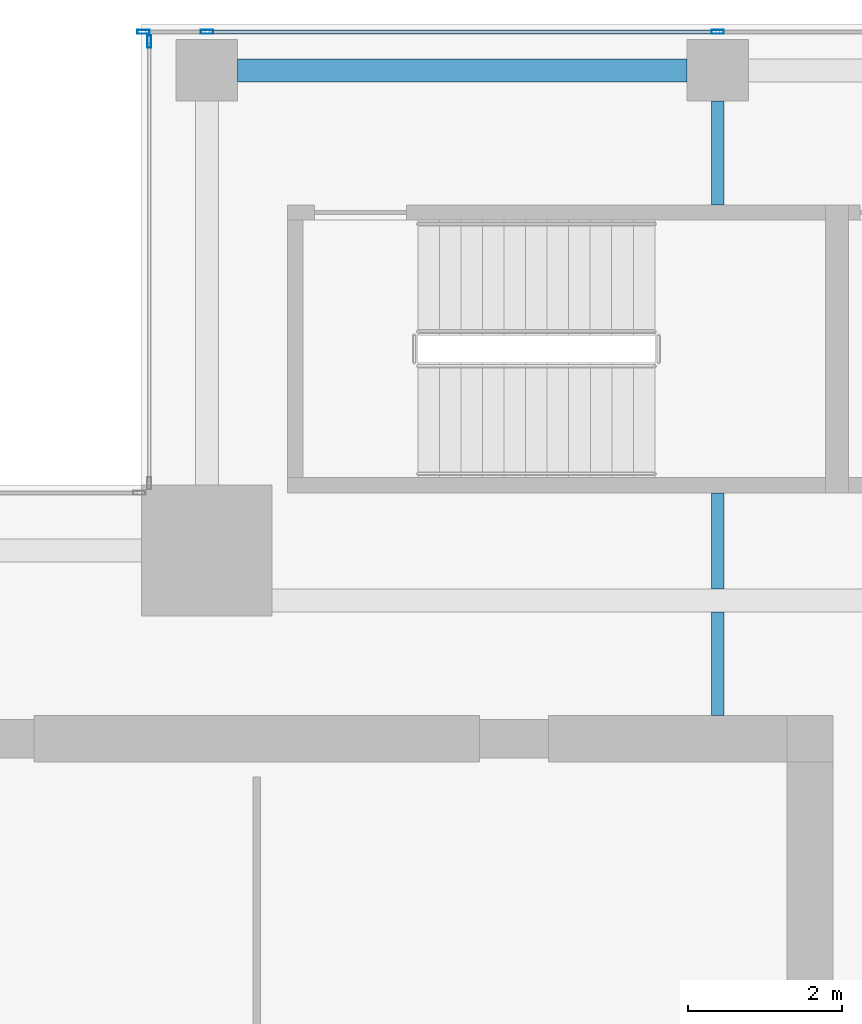
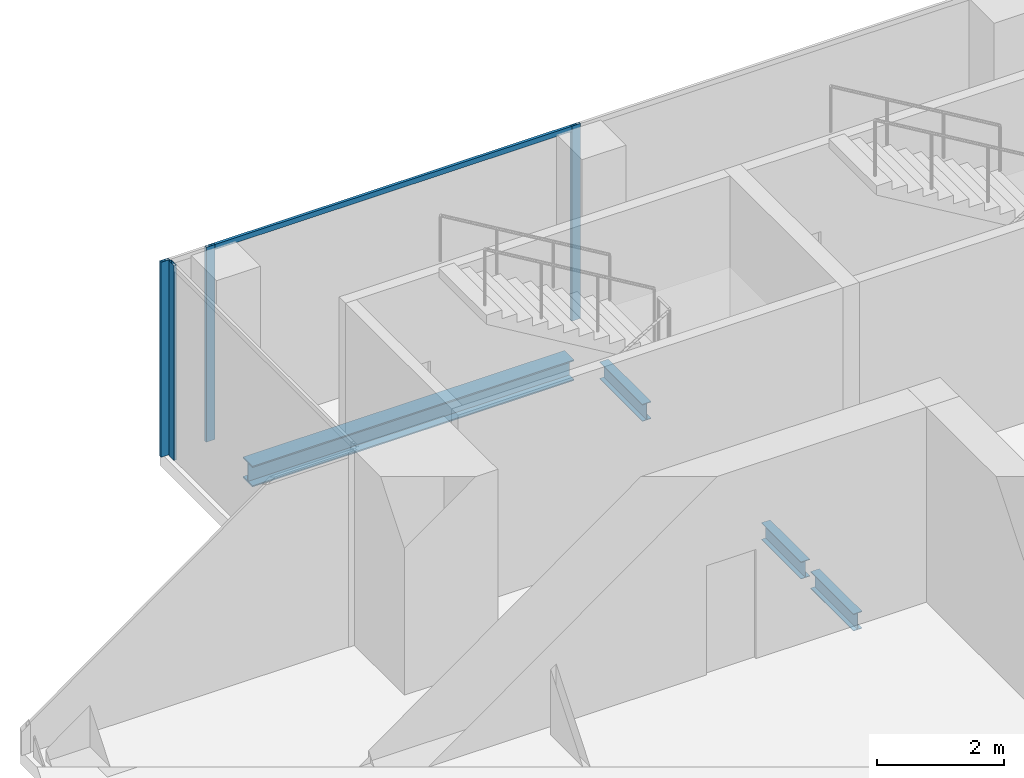
# One storey, part 15 of 29: 5 members, 4 beams, 2 elements without a shape of their own.
"""IFC4 building model written with IfcOpenShell, lengths in metres."""

from ifc_helpers import new_model, si_unit, direction, frame, origin, origin_2d, place, context, subcontext, project, spatial, hollow_rectangle, i_section, extrude, source, transform, mapped, material, material_profile, profile_set, type_object, element, aggregate, save


model = new_model("IFC4")

# Units and contexts
model_context = context("Model", 3, precision=1e-05, world=origin(), true_north=direction((0.0, 1.0)))
body_context = subcontext(model_context, "Body", "Model", "MODEL_VIEW")
ifc_project = project(units=[si_unit("LENGTHUNIT", "METRE"), si_unit("AREAUNIT", "SQUARE_METRE"), si_unit("VOLUMEUNIT", "CUBIC_METRE"), si_unit("PLANEANGLEUNIT", "RADIAN"), si_unit("MASSUNIT", "GRAM", prefix="KILO")], contexts=[model_context])

# Site, building, storey
site_placement = place(None, origin())
site = spatial("IfcSite", under=ifc_project, at=site_placement, CompositionType="ELEMENT")
building_placement = place(site_placement, origin())
building = spatial("IfcBuilding", under=site, at=building_placement, Name="Khomas Fold Tower", CompositionType="ELEMENT")
storey_placement = place(building_placement, frame((0.0, 0.0, 314.199951171875)))
storey = spatial("IfcBuildingStorey", under=building, at=storey_placement, Name="L71", CompositionType="ELEMENT", Elevation=314.199951171875)

# Beams
ifc_material_1 = material(Name="Steel S355", Category="steel")
ifc_material_profile_1 = material_profile(ifc_material_1, i_section(OverallWidth=0.159912109375, OverallDepth=0.330078125, WebThickness=0.007568359375, FlangeThickness=0.011474609375, at=origin_2d()), Name="IPE 330")
ifc_profile_set_1 = profile_set([ifc_material_profile_1], Name="Steel S355")
beam_type_1 = type_object("IfcBeamType", Name="IPE 330 beam JB1", PredefinedType="BEAM", material=ifc_profile_set_1)
shared_shape_1 = source(origin(), body_context, "Body", "SweptSolid", [
    extrude(i_section(OverallWidth=0.159912109375, OverallDepth=0.330078125, WebThickness=0.007568359375, FlangeThickness=0.011474609375, at=origin_2d()), origin(), (0.0, 0.0, 1.0), 1.25),
])
beam_1_placement = place(storey_placement, frame((19.5, 40.64990234375, -0.4150390625), z_axis=(0.0, 1.0, 0.0), x_axis=(-1.0, 0.0, 0.0)))
element("IfcBeam", 1, at=beam_1_placement, inside=storey, type_object=beam_type_1, Name="JB1", PredefinedType="BEAM", context=body_context, shape_type="MappedRepresentation", body=[
    mapped(shared_shape_1, transform((0.0, 0.0, 0.0))),
])
shared_shape_2 = source(origin(), body_context, "Body", "SweptSolid", [
    extrude(i_section(OverallWidth=0.159912109375, OverallDepth=0.330078125, WebThickness=0.007568359375, FlangeThickness=0.011474609375, at=origin_2d()), origin(), (0.0, 0.0, 1.0), 1.35009765625),
])
for number, where, z_axis, x_axis, name in (
    (2, (19.5, 39.0, -0.4150390625), (0.0, 1.0, 0.0), (-1.0, 0.0, 0.0), "JB1"),
    (3, (19.5, 45.64990234375, -0.4150390625), (0.0, 1.0, 0.0), (-1.0, 0.0, 0.0), "JB1"),
):
    element("IfcBeam", number, at=place(storey_placement, frame(where, z_axis=z_axis, x_axis=x_axis)), inside=storey, type_object=beam_type_1, Name=name, PredefinedType="BEAM", context=body_context, shape_type="MappedRepresentation", body=[
        mapped(shared_shape_2, transform((0.0, 0.0, 0.0))),
    ])
ifc_material_2 = material(Name="Steel S355", Category="steel")
ifc_material_profile_2 = material_profile(ifc_material_2, i_section(OverallWidth=0.300048828125, OverallDepth=0.39990234375, WebThickness=0.013427734375, FlangeThickness=0.02392578125, at=origin_2d()), Name="HE 400 B")
ifc_profile_set_2 = profile_set([ifc_material_profile_2], Name="Steel S355")
beam_type_2 = type_object("IfcBeamType", Name="HE 400 B spandrel SB5", PredefinedType="SPANDREL", material=ifc_profile_set_2)
shared_shape_3 = source(origin(), body_context, "Body", "SweptSolid", [
    extrude(i_section(OverallWidth=0.300048828125, OverallDepth=0.39990234375, WebThickness=0.013427734375, FlangeThickness=0.02392578125, at=origin_2d()), origin(), (0.0, 0.0, 1.0), 5.85009765625),
])
beam_2_placement = place(storey_placement, frame((13.25, 47.39990234375, -0.449951171875), z_axis=(1.0, 0.0, 0.0), x_axis=(0.0, 1.0, 0.0)))
element("IfcBeam", 4, at=beam_2_placement, inside=storey, type_object=beam_type_2, Name="SB5", PredefinedType="SPANDREL", context=body_context, shape_type="MappedRepresentation", body=[
    mapped(shared_shape_3, transform((0.0, 0.0, 0.0))),
])

# Curtain wall, members
ifc_material_3 = material(Name="Aluminium framed double glazing", Category="aluminium")
curtain_wall_type = type_object("IfcCurtainWallType", Name="SK-Unitised clear-glass wall, upper floors CW3", PredefinedType="NOTDEFINED", material=ifc_material_3)
curtain_wall_1_placement = place(storey_placement, origin())
curtain_wall_1 = element("IfcCurtainWall", 5, at=curtain_wall_1_placement, inside=storey, type_object=curtain_wall_type, Name="CW3 run L71 06-1", PredefinedType="NOTDEFINED")
ifc_material_4 = material(Name="Aluminium", Category="aluminium")
ifc_material_profile_3 = material_profile(ifc_material_4, hollow_rectangle(XDim=0.050048828125, YDim=0.159912109375, WallThickness=0.00390625, at=origin_2d()), Name="SK-Unitised clear-glass wall, upper floors mullion CW3-M")
ifc_profile_set_3 = profile_set([ifc_material_profile_3], Name="Aluminium")
member_type_1 = type_object("IfcMemberType", Name="SK-Unitised clear-glass wall, upper floors mullion CW3-M", PredefinedType="MULLION", material=ifc_profile_set_3)
shared_shape_4 = source(origin(), body_context, "Body", "SweptSolid", [
    extrude(hollow_rectangle(XDim=0.050048828125, YDim=0.159912109375, WallThickness=0.00390625, at=origin_2d()), origin(), (0.0, 0.0, 1.0), 3.75),
])
member_1_placement = place(storey_placement, frame((19.5, 47.89990234375, 0.0), z_axis=(0.0, 0.0, 1.0), x_axis=(0.0, -1.0, 0.0)))
member_1 = element("IfcMember", 6, at=member_1_placement, type_object=member_type_1, Name="CW3 mullion 4", PredefinedType="MULLION", context=body_context, shape_type="MappedRepresentation", body=[
    mapped(shared_shape_4, transform((0.0, 0.0, 0.0))),
])
member_2_placement = place(storey_placement, frame((12.85009765625, 47.89990234375, 0.0), z_axis=(0.0, 0.0, 1.0), x_axis=(0.0, -1.0, 0.0)))
member_2 = element("IfcMember", 7, at=member_2_placement, type_object=member_type_1, Name="CW3 mullion 5", PredefinedType="MULLION", context=body_context, shape_type="MappedRepresentation", body=[
    mapped(shared_shape_4, transform((0.0, 0.0, 0.0))),
])
member_3_placement = place(storey_placement, frame((12.02490234375, 47.89990234375, 0.0), z_axis=(0.0, 0.0, 1.0), x_axis=(0.0, -1.0, 0.0)))
member_3 = element("IfcMember", 8, at=member_3_placement, type_object=member_type_1, Name="CW3 mullion 6", PredefinedType="MULLION", context=body_context, shape_type="MappedRepresentation", body=[
    mapped(shared_shape_4, transform((0.0, 0.0, 0.0))),
])

# Curtain wall, member
curtain_wall_2_placement = place(storey_placement, origin())
curtain_wall_2 = element("IfcCurtainWall", 9, at=curtain_wall_2_placement, inside=storey, type_object=curtain_wall_type, Name="CW3 corner return L71 07", PredefinedType="NOTDEFINED")
member_4_placement = place(storey_placement, frame((12.10009765625, 47.77490234375, 0.0), z_axis=(0.0, 0.0, 1.0), x_axis=(1.0, 0.0, 0.0)))
member_4 = element("IfcMember", 10, at=member_4_placement, type_object=member_type_1, Name="CW3 mullion 1", PredefinedType="MULLION", context=body_context, shape_type="MappedRepresentation", body=[
    mapped(shared_shape_4, transform((0.0, 0.0, 0.0))),
])
aggregate(curtain_wall_2, [member_4])

# Member
ifc_material_5 = material(Name="Aluminium", Category="aluminium")
ifc_material_profile_4 = material_profile(ifc_material_5, hollow_rectangle(XDim=0.050048828125, YDim=0.10009765625, WallThickness=0.00390625, at=origin_2d()), Name="SK-Unitised clear-glass wall, upper floors transom CW3-T")
ifc_profile_set_4 = profile_set([ifc_material_profile_4], Name="Aluminium")
member_type_2 = type_object("IfcMemberType", Name="SK-Unitised clear-glass wall, upper floors transom CW3-T", PredefinedType="USERDEFINED", material=ifc_profile_set_4)
shared_shape_5 = source(origin(), body_context, "Body", "SweptSolid", [
    extrude(hollow_rectangle(XDim=0.050048828125, YDim=0.10009765625, WallThickness=0.00390625, at=origin_2d()), origin(), (0.0, 0.0, 1.0), 6.60009765625),
])
member_5_placement = place(storey_placement, frame((19.47509765625, 47.89990234375, 3.699951171875), z_axis=(-1.0, 0.0, 0.0), x_axis=(0.0, -1.0, 0.0)))
member_5 = element("IfcMember", 11, at=member_5_placement, type_object=member_type_2, Name="CW3 transom 4", ObjectType="TRANSOM", PredefinedType="USERDEFINED", context=body_context, shape_type="MappedRepresentation", body=[
    mapped(shared_shape_5, transform((0.0, 0.0, 0.0))),
])

aggregate(curtain_wall_1, [member_1, member_2, member_3, member_5])

save(model, "model.ifc")
